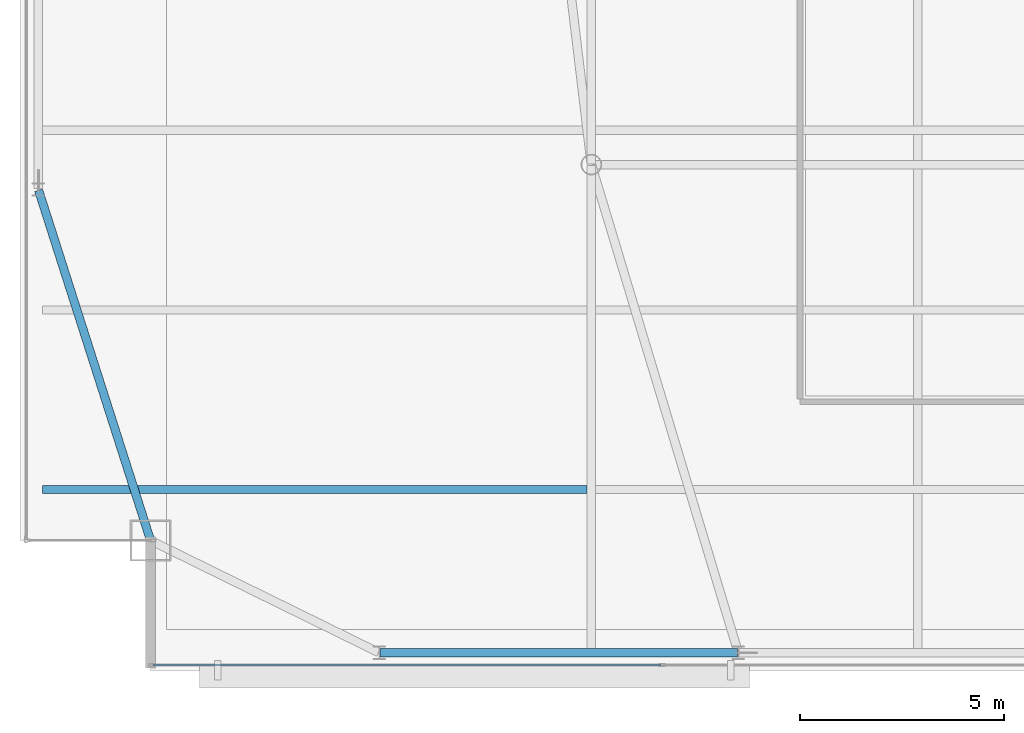
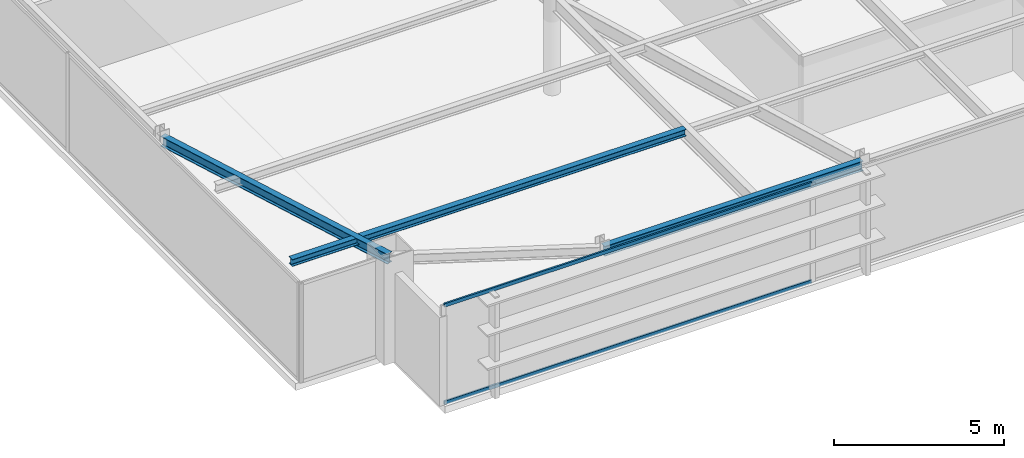
# One storey, part 5 of 24: 3 beams, 2 members, 1 element without a shape of its own.
"""IFC4 building model written with IfcOpenShell, lengths in metres."""

import ifcopenshell
import ifcopenshell.guid

model = None  # the IFC model being written
_history = None  # IfcOwnerHistory: only IFC2X3 demands one
_inside = {}  # id of a spatial element -> (the spatial element, [elements in it])
_under = {}  # id of a project, library or spatial element -> (it, [spatial elements below it])
_declared = {}  # id of a project -> (the project, [libraries it declares])
_typed = {}  # id of a type object -> (the type object, [elements of that type])
_made_of = {}  # id of a material, layer set ... -> (it, [elements and type objects made of it])


def new_model(schema):
    """Start an empty IFC model of exactly this schema.

    Asked for "IFC4X3", IfcOpenShell would pick the latest addendum, in which some entities
    have other attributes; the version numbers below select the first issue.
    IFC2X3 requires an IfcOwnerHistory on every rooted entity: one is made here for all.
    """
    global model, _history
    if schema == "IFC4X3":
        model = ifcopenshell.file(schema_version=(4, 3, 0, 0))
    else:
        model = ifcopenshell.file(schema=schema)
    _inside.clear()
    _under.clear()
    _declared.clear()
    _typed.clear()
    _made_of.clear()
    _history = None
    if model.schema == "IFC2X3":
        org = make("IfcOrganization", Name="unknown")
        user = make(
            "IfcPersonAndOrganization",
            ThePerson=make("IfcPerson", FamilyName="unknown"),
            TheOrganization=org,
        )
        app = make(
            "IfcApplication",
            ApplicationDeveloper=org,
            Version="unknown",
            ApplicationFullName="unknown",
            ApplicationIdentifier="unknown",
        )
        _history = make(
            "IfcOwnerHistory",
            OwningUser=user,
            OwningApplication=app,
            ChangeAction="ADDED",
            CreationDate=0,
        )
    return model


def make(cls, **values):
    """One entity of the class cls with the attributes given. An attribute that is None is left unset."""
    return model.create_entity(
        cls, **{name: value for name, value in values.items() if value is not None}
    )


def rooted(cls, **values):
    """An entity with a GlobalId (a new one), such as an element, a storey or a relation."""
    return make(cls, GlobalId=ifcopenshell.guid.new(), OwnerHistory=_history, **values)


def si_unit(unit_type, name, prefix=None):
    """IfcSIUnit, for example si_unit("LENGTHUNIT", "METRE", prefix="MILLI")."""
    return make("IfcSIUnit", UnitType=unit_type, Prefix=prefix, Name=name)


def assignment(units):
    """IfcUnitAssignment: the units of a project."""
    return None if units is None else make("IfcUnitAssignment", Units=units)


def point(xyz):
    """IfcCartesianPoint."""
    return None if xyz is None else make("IfcCartesianPoint", Coordinates=xyz)


def direction(xyz):
    """IfcDirection."""
    return None if xyz is None else make("IfcDirection", DirectionRatios=xyz)


def frame(location, z_axis=None, x_axis=None):
    """IfcAxis2Placement3D, a coordinate frame: its origin and axes. An axis left out is left unset."""
    return make(
        "IfcAxis2Placement3D",
        Location=point(location),
        Axis=direction(z_axis),
        RefDirection=direction(x_axis),
    )


def frame_2d(location, x_axis=None):
    """IfcAxis2Placement2D, a coordinate frame in the plane: its origin and x axis."""
    return make(
        "IfcAxis2Placement2D", Location=point(location), RefDirection=direction(x_axis)
    )


def origin():
    """The frame at (0, 0, 0) with its axes left unset."""
    return frame((0.0, 0.0, 0.0))


def origin_2d():
    """The frame at (0, 0) in the plane with its x axis left unset."""
    return frame_2d((0.0, 0.0))


def place(relative_to, where):
    """IfcLocalPlacement: puts the frame where relative to a parent placement (None: the world)."""
    return make(
        "IfcLocalPlacement", PlacementRelTo=relative_to, RelativePlacement=where
    )


def context(
    kind, dimensions, precision=None, world=None, true_north=None, identifier=None
):
    """IfcGeometricRepresentationContext, for example the 3D "Model" context."""
    return make(
        "IfcGeometricRepresentationContext",
        ContextIdentifier=identifier,
        ContextType=kind,
        CoordinateSpaceDimension=dimensions,
        Precision=precision,
        WorldCoordinateSystem=world,
        TrueNorth=true_north,
    )


def subcontext(parent, identifier, kind, view, scale=None):
    """IfcGeometricRepresentationSubContext, for example "Body" below "Model"."""
    return make(
        "IfcGeometricRepresentationSubContext",
        ContextIdentifier=identifier,
        ContextType=kind,
        ParentContext=parent,
        TargetScale=scale,
        TargetView=view,
    )


def project(units=None, contexts=None):
    """IfcProject with its units and contexts."""
    return rooted(
        "IfcProject",
        Name="project",
        RepresentationContexts=contexts,
        UnitsInContext=assignment(units),
    )


def spatial(cls, under=None, at=None, **own):
    """A site, building, storey or space (cls), placed at a placement, below another one or the project."""
    s = rooted(cls, ObjectPlacement=at, **own)
    if under is not None:
        _under.setdefault(under.id(), (under, []))[1].append(s)
    return s


def profile(cls, at=None, kind="AREA", **sizes):
    """A parametric profile (cls). Its sizes go by their IFC names, for example OverallWidth=200.0."""
    return make(cls, ProfileType=kind, Position=at, **sizes)


def hollow_rectangle(**sizes):
    """IfcRectangleHollowProfileDef."""
    return profile("IfcRectangleHollowProfileDef", **sizes)


def i_section(**sizes):
    """IfcIShapeProfileDef."""
    return profile("IfcIShapeProfileDef", **sizes)


def extrude(swept, where, along, depth):
    """IfcExtrudedAreaSolid: the profile swept, set in the frame where, extruded along a direction by depth."""
    return make(
        "IfcExtrudedAreaSolid",
        SweptArea=swept,
        Position=where,
        ExtrudedDirection=direction(along),
        Depth=depth,
    )


def shape(context_of_items, identifier, shape_type, items):
    """IfcShapeRepresentation: the items that make up one representation, for example the "Body"."""
    return make(
        "IfcShapeRepresentation",
        ContextOfItems=context_of_items,
        RepresentationIdentifier=identifier,
        RepresentationType=shape_type,
        Items=items,
    )


def source(mapping_origin, context_of_items, identifier, shape_type, items):
    """IfcRepresentationMap: a shape defined once, which mapped items show again and again."""
    return make(
        "IfcRepresentationMap",
        MappingOrigin=mapping_origin,
        MappedRepresentation=shape(context_of_items, identifier, shape_type, items),
    )


def transform(
    local_origin,
    x_axis=None,
    y_axis=None,
    z_axis=None,
    scale=None,
    scale2=None,
    scale3=None,
    uniform=True,
):
    """IfcCartesianTransformationOperator3D, or its non-uniform kind. x_axis, y_axis, z_axis: its Axis1, 2, 3."""
    if uniform:
        return make(
            "IfcCartesianTransformationOperator3D",
            Axis1=direction(x_axis),
            Axis2=direction(y_axis),
            LocalOrigin=point(local_origin),
            Scale=scale,
            Axis3=direction(z_axis),
        )
    return make(
        "IfcCartesianTransformationOperator3DnonUniform",
        Axis1=direction(x_axis),
        Axis2=direction(y_axis),
        LocalOrigin=point(local_origin),
        Scale=scale,
        Axis3=direction(z_axis),
        Scale2=scale2,
        Scale3=scale3,
    )


def mapped(mapping_source, mapping_target):
    """IfcMappedItem: shows the shape of a source again, moved by a transform."""
    return make(
        "IfcMappedItem", MappingSource=mapping_source, MappingTarget=mapping_target
    )


def material(Name=None, Category=None):
    """IfcMaterial."""
    return make("IfcMaterial", Name=Name, Category=Category)


def layer(
    of_material, thickness, ventilated=None, Name=None, Category=None, Priority=None
):
    """IfcMaterialLayer: one layer of a wall or slab, of a material (None: an air gap)."""
    return make(
        "IfcMaterialLayer",
        Material=of_material,
        LayerThickness=thickness,
        IsVentilated=ventilated,
        Name=Name,
        Category=Category,
        Priority=Priority,
    )


def layer_set(layers, Name=None):
    """IfcMaterialLayerSet."""
    return make("IfcMaterialLayerSet", MaterialLayers=layers, LayerSetName=Name)


def material_profile(
    of_material, cross_section, Name=None, Category=None, Priority=None
):
    """IfcMaterialProfile: a cross section and its material."""
    return make(
        "IfcMaterialProfile",
        Name=Name,
        Material=of_material,
        Profile=cross_section,
        Priority=Priority,
        Category=Category,
    )


def profile_set(profiles, Name=None, composite=None):
    """IfcMaterialProfileSet."""
    return make(
        "IfcMaterialProfileSet",
        Name=Name,
        MaterialProfiles=profiles,
        CompositeProfile=composite,
    )


def made_of(thing, what):
    """Note that an element or type object is made of a material, layer set ...; save() writes the relation."""
    if what is not None:
        _made_of.setdefault(what.id(), (what, []))[1].append(thing)
    return thing


def type_object(cls, material=None, **own):
    """A type object (cls), such as IfcWallType, which elements share."""
    return made_of(rooted(cls, **own), material)


def type_shapes(of_type, sources):
    """Give a type object the sources (RepresentationMaps) that its elements show as mapped items."""
    of_type.RepresentationMaps = sources


def element(
    cls,
    number,
    at=None,
    inside=None,
    cuts=None,
    type_object=None,
    material=None,
    context=None,
    identifier="Body",
    shape_type=None,
    held_by="IfcProductDefinitionShape",
    body=None,
    shapes=None,
    **own,
):
    """One element of the class cls, such as IfcWall. Its Tag is "e" and its number.

    at: its placement. inside: the storey or other place that contains it. cuts: it is an
    opening in that element (IfcRelVoidsElement). A single representation is given by context,
    identifier, shape_type and body (its items); several are given by shapes. held_by: the class
    of the entity that holds the representations. save() writes the other relations.
    """
    e = rooted(cls, Tag="e%d" % number, ObjectPlacement=at, **own)
    if body is not None:
        shapes = [shape(context, identifier, shape_type, body)]
    if shapes is not None:
        e.Representation = make(held_by, Representations=shapes)
    if inside is not None:
        _inside.setdefault(inside.id(), (inside, []))[1].append(e)
    if cuts is not None:
        rooted(
            "IfcRelVoidsElement", RelatingBuildingElement=cuts, RelatedOpeningElement=e
        )
    if type_object is not None:
        _typed.setdefault(type_object.id(), (type_object, []))[1].append(e)
    return made_of(e, material)


def aggregate(whole, parts):
    """IfcRelAggregates: a whole, such as a stair, and the parts it consists of."""
    return rooted("IfcRelAggregates", RelatingObject=whole, RelatedObjects=parts)


def save(model, path):
    """Write the relations noted so far, then the file.

    IfcRelAggregates (storeys below a building ...), IfcRelContainedInSpatialStructure (elements
    in a storey), IfcRelDefinesByType, IfcRelAssociatesMaterial and IfcRelDeclares: one each for
    every whole, place, type object, material and project.
    """
    for whole, parts in _under.values():
        aggregate(whole, parts)
    for where, things in _inside.values():
        rooted(
            "IfcRelContainedInSpatialStructure",
            RelatedElements=things,
            RelatingStructure=where,
        )
    for kind, things in _typed.values():
        rooted("IfcRelDefinesByType", RelatedObjects=things, RelatingType=kind)
    for what, things in _made_of.values():
        rooted("IfcRelAssociatesMaterial", RelatedObjects=things, RelatingMaterial=what)
    for by, libraries in _declared.values():
        rooted("IfcRelDeclares", RelatingContext=by, RelatedDefinitions=libraries)
    model.write(path)


model = new_model("IFC4")

# Units and contexts
model_context = context("Model", 3, precision=1e-05, world=origin(), true_north=direction((0.0, 1.0)))
body_context = subcontext(model_context, "Body", "Model", "MODEL_VIEW")
ifc_project = project(units=[si_unit("LENGTHUNIT", "METRE"), si_unit("AREAUNIT", "SQUARE_METRE"), si_unit("VOLUMEUNIT", "CUBIC_METRE"), si_unit("PLANEANGLEUNIT", "RADIAN"), si_unit("MASSUNIT", "GRAM", prefix="KILO")], contexts=[model_context])

# Site, building, storey
site_placement = place(None, origin())
site = spatial("IfcSite", under=ifc_project, at=site_placement, CompositionType="ELEMENT")
building_placement = place(site_placement, origin())
building = spatial("IfcBuilding", under=site, at=building_placement, Name="Varnel Quay Broadcast Tower", CompositionType="ELEMENT")
storey_placement = place(building_placement, frame((0.0, 0.0, 269.800048828125)))
storey = spatial("IfcBuildingStorey", under=building, at=storey_placement, Name="L67", CompositionType="ELEMENT", Elevation=269.800048828125)

# Beams
ifc_material_1 = material(Name="Structural Steel CSA G40.21 350W", Category="steel")
ifc_material_profile_1 = material_profile(ifc_material_1, i_section(OverallWidth=0.205078125, OverallDepth=0.35400390625, WebThickness=0.009521484375, FlangeThickness=0.016845703125, FilletRadius=0.012939453125, at=origin_2d()), Name="W360X79")
ifc_profile_set_1 = profile_set([ifc_material_profile_1], Name="Structural Steel CSA G40.21 350W")
beam_type_1 = type_object("IfcBeamType", Name="Beam_W360X79", PredefinedType="SPANDREL", material=ifc_profile_set_1)
shared_shape_1 = source(origin(), body_context, "Body", "SweptSolid", [
    extrude(i_section(OverallWidth=0.205078125, OverallDepth=0.35400390625, WebThickness=0.009521484375, FlangeThickness=0.016845703125, FilletRadius=0.012939453125, at=origin_2d()), origin(), (0.0, 0.0, 1.0), 8.760009765625),
])
beam_1_placement = place(storey_placement, frame((20.820068359375, 13.64990234375, 3.373046875), z_axis=(1.0, 0.0, 0.0), x_axis=(0.0, 1.0, 0.0)))
element("IfcBeam", 1, at=beam_1_placement, inside=storey, type_object=beam_type_1, Name="L67 South Spandrel TC-S1-TC-S2", PredefinedType="SPANDREL", context=body_context, shape_type="MappedRepresentation", body=[
    mapped(shared_shape_1, transform((0.0, 0.0, 0.0), x_axis=(1.0, 0.0, 0.0), y_axis=(0.0, 1.0, 0.0), z_axis=(0.0, 0.0, 1.0), scale=1.0)),
])
shared_shape_2 = source(origin(), body_context, "Body", "SweptSolid", [
    extrude(i_section(OverallWidth=0.205078125, OverallDepth=0.35400390625, WebThickness=0.009521484375, FlangeThickness=0.016845703125, FilletRadius=0.012939453125, at=origin_2d()), origin(), (0.0, 0.0, 1.0), 8.989013671875),
])
type_shapes(beam_type_1, [shared_shape_1, shared_shape_2])
beam_2_placement = place(storey_placement, frame((15.19384765625, 16.4189453125, 3.373046875), z_axis=(-0.304568770162, 0.952490348635, 0.0), x_axis=(-0.952490348635, -0.304568770162, 0.0)))
element("IfcBeam", 2, at=beam_2_placement, inside=storey, type_object=beam_type_1, Name="L67 West Spandrel MC-SW-TC-W1", PredefinedType="SPANDREL", context=body_context, shape_type="MappedRepresentation", body=[
    mapped(shared_shape_2, transform((0.0, 0.0, 0.0), x_axis=(1.0, 0.0, 0.0), y_axis=(0.0, 1.0, 0.0), z_axis=(0.0, 0.0, 1.0), scale=1.0)),
])
ifc_material_profile_2 = material_profile(ifc_material_1, i_section(OverallWidth=0.201904296875, OverallDepth=0.2470703125, WebThickness=0.00732421875, FlangeThickness=0.010986328125, FilletRadius=0.010986328125, at=origin_2d()), Name="W250X49")
ifc_profile_set_2 = profile_set([ifc_material_profile_2], Name="Structural Steel CSA G40.21 350W")
beam_type_2 = type_object("IfcBeamType", Name="Beam_W250X49", PredefinedType="JOIST", material=ifc_profile_set_2)
shared_shape_3 = source(origin(), body_context, "Body", "SweptSolid", [
    extrude(i_section(OverallWidth=0.201904296875, OverallDepth=0.2470703125, WebThickness=0.00732421875, FlangeThickness=0.010986328125, FilletRadius=0.010986328125, at=origin_2d()), origin(), (0.0, 0.0, 1.0), 13.351318359375),
])
type_shapes(beam_type_2, [shared_shape_3])
beam_3_placement = place(storey_placement, frame((12.547607421875, 17.64990234375, 3.426513671875), z_axis=(1.0, 0.0, 0.0), x_axis=(0.0, 1.0, 0.0)))
element("IfcBeam", 3, at=beam_3_placement, inside=storey, type_object=beam_type_2, Name="L67 West Floor Joist 1", PredefinedType="JOIST", context=body_context, shape_type="MappedRepresentation", body=[
    mapped(shared_shape_3, transform((0.0, 0.0, 0.0), x_axis=(1.0, 0.0, 0.0), y_axis=(0.0, 1.0, 0.0), z_axis=(0.0, 0.0, 1.0), scale=1.0)),
])

# Curtain wall, members
ifc_material_2 = material(Name="Anodised Bronze Aluminium 6063-T6", Category="aluminium")
ifc_layer = layer(ifc_material_2, 0.18994140625, Name="Anodised Bronze Aluminium 6063-T6")
ifc_layer_set = layer_set([ifc_layer], Name="Anodised Bronze Aluminium 6063-T6")
curtain_wall_type = type_object("IfcCurtainWallType", Name="CW_UpperTower", PredefinedType="NOTDEFINED", material=ifc_layer_set)
curtain_wall_placement = place(storey_placement, origin())
curtain_wall = element("IfcCurtainWall", 4, at=curtain_wall_placement, inside=storey, type_object=curtain_wall_type, Name="L67 South Unitised Curtain Wall 1", PredefinedType="NOTDEFINED")
ifc_material_profile_3 = material_profile(ifc_material_2, hollow_rectangle(XDim=0.06005859375, YDim=0.125, WallThickness=0.0029296875, at=origin_2d()), Name="ALU60X125X3")
ifc_profile_set_3 = profile_set([ifc_material_profile_3], Name="Anodised Bronze Aluminium 6063-T6")
member_type = type_object("IfcMemberType", Name="Tran_CWS-03", PredefinedType="USERDEFINED", material=ifc_profile_set_3)
shared_shape_4 = source(origin(), body_context, "Body", "SweptSolid", [
    extrude(hollow_rectangle(XDim=0.06005859375, YDim=0.125, WallThickness=0.0029296875, at=origin_2d()), origin(), (0.0, 0.0, 1.0), 12.43603515625),
])
type_shapes(member_type, [shared_shape_4])
member_1_placement = place(storey_placement, frame((15.264892578125, 13.35009765625, 0.030029296875), z_axis=(1.0, 0.0, 0.0), x_axis=(0.0, 1.0, 0.0)))
member_1 = element("IfcMember", 5, at=member_1_placement, type_object=member_type, Name="CWS-03 transom 1.1", ObjectType="TRANSOM", PredefinedType="USERDEFINED", context=body_context, shape_type="MappedRepresentation", body=[
    mapped(shared_shape_4, transform((0.0, 0.0, 0.0), x_axis=(1.0, 0.0, 0.0), y_axis=(0.0, 1.0, 0.0), z_axis=(0.0, 0.0, 1.0), scale=1.0)),
])
member_2_placement = place(storey_placement, frame((15.264892578125, 13.35009765625, 3.52001953125), z_axis=(1.0, 0.0, 0.0), x_axis=(0.0, 1.0, 0.0)))
member_2 = element("IfcMember", 6, at=member_2_placement, type_object=member_type, Name="CWS-03 transom 1.2", ObjectType="TRANSOM", PredefinedType="USERDEFINED", context=body_context, shape_type="MappedRepresentation", body=[
    mapped(shared_shape_4, transform((0.0, 0.0, 0.0), x_axis=(1.0, 0.0, 0.0), y_axis=(0.0, 1.0, 0.0), z_axis=(0.0, 0.0, 1.0), scale=1.0)),
])
aggregate(curtain_wall, [member_1, member_2])

save(model, "model.ifc")
